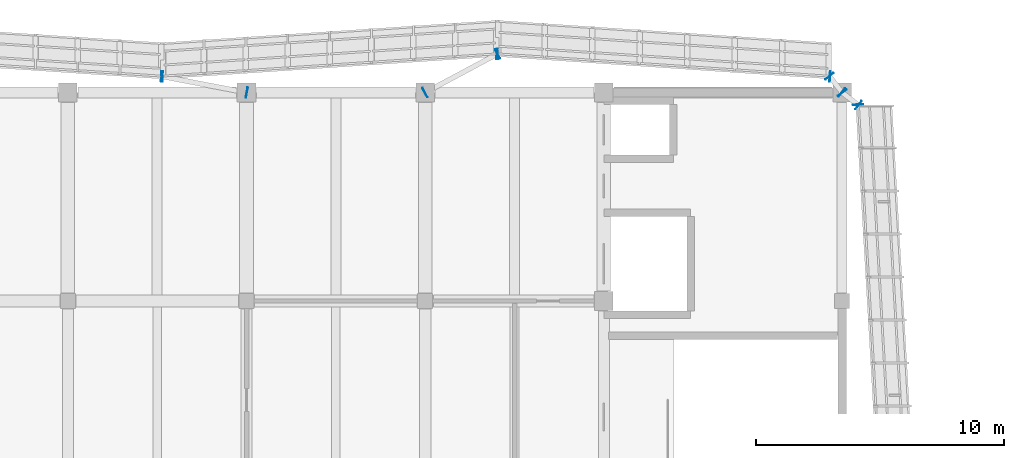
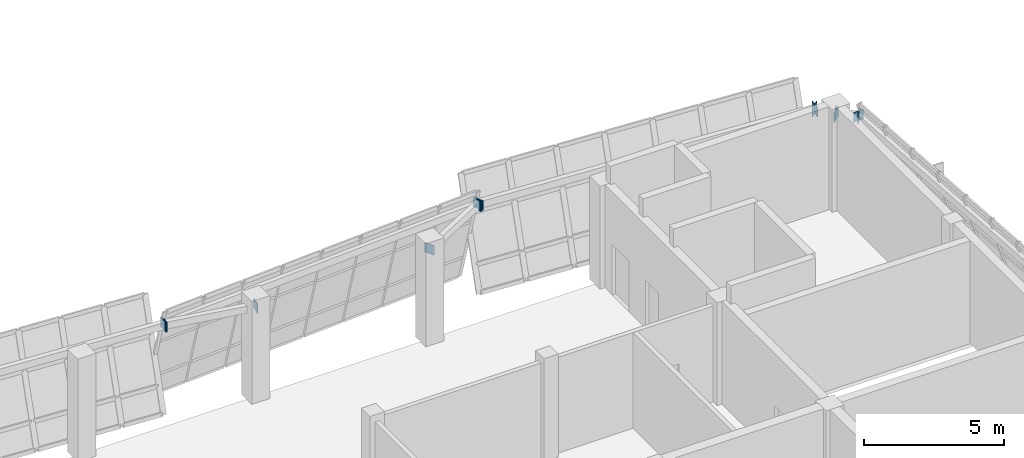
# One storey, part 54 of 71: 14 plates.
"""IFC4 building model written with IfcOpenShell, lengths in metres."""

from ifc_helpers import new_model, si_unit, direction, frame, origin, origin_2d, place, context, subcontext, project, spatial, rectangle, extrude, material, layer, layer_set, type_object, element, save


model = new_model("IFC4")

# Units and contexts
model_context = context("Model", 3, precision=1e-05, world=origin(), true_north=direction((0.0, 1.0)))
body_context = subcontext(model_context, "Body", "Model", "MODEL_VIEW")
ifc_project = project(units=[si_unit("LENGTHUNIT", "METRE"), si_unit("AREAUNIT", "SQUARE_METRE"), si_unit("VOLUMEUNIT", "CUBIC_METRE"), si_unit("PLANEANGLEUNIT", "RADIAN"), si_unit("MASSUNIT", "GRAM", prefix="KILO")], contexts=[model_context])

# Site, building, storey
site_placement = place(None, origin())
site = spatial("IfcSite", under=ifc_project, at=site_placement, CompositionType="ELEMENT")
building_placement = place(site_placement, origin())
building = spatial("IfcBuilding", under=site, at=building_placement, Name="Pellamere Symphony Hall", CompositionType="ELEMENT")
storey_placement = place(building_placement, frame((0.0, 0.0, 15.0)))
storey = spatial("IfcBuildingStorey", under=building, at=storey_placement, Name="L03", CompositionType="ELEMENT", Elevation=15.0)

# Plates
ifc_material = material(Name="Steel CSA G40.21 350W", Category="steel")
ifc_layer = layer(ifc_material, 0.02490234375, Name="Steel CSA G40.21 350W")
ifc_layer_set = layer_set([ifc_layer], Name="Steel CSA G40.21 350W")
plate_type = type_object("IfcPlateType", Name="Steel Connection Plate KP-01 420x420x25", PredefinedType="SHEET", material=ifc_layer_set)
for number, where, z_axis, x_axis, name in (
    (1, (119.44921875, 93.112060546875, 3.72998046875), (0.0, 0.0, 1.0), (-0.05756402696, 0.998341816614, 0.0), "Crystal Spandrel End Cap Plate CW-CR09-2 (L03)"),
    (2, (118.79052734375, 93.607421875, 3.72998046875), (0.0, 0.0, 1.0), (0.792609005996, -0.609730238396, 0.0), "Outrigger End Cap Plate 045.1 (L03)"),
    (3, (119.45947265625, 93.0927734375, 3.72998046875), (0.0, 0.0, 1.0), (0.792609005996, -0.609730238396, 0.0), "Outrigger End Cap Plate 045.2 (L03)"),
    (4, (118.31201171875, 94.249267578125, 3.72998046875), (0.0, 0.0, 1.0), (-0.997754957227, 0.066970481029, 0.0), "Crystal Spandrel End Cap Plate CW-CR10-1 (L03)"),
    (5, (104.887939453125, 95.15087890625, 3.72998046875), (0.0, 0.0, 1.0), (-0.997754957227, 0.066970481029, 0.0), "Crystal Spandrel End Cap Plate CW-CR10-2 (L03)"),
    (6, (118.807373046875, 93.590576171875, 3.72998046875), (0.0, 0.0, 1.0), (-0.609730238396, 0.792609005996, 0.0), "Outrigger End Cap Plate 052.1 (L03)"),
    (7, (118.292724609375, 94.259521484375, 3.72998046875), (0.0, 0.0, 1.0), (-0.609730238396, 0.792609005996, 0.0), "Outrigger End Cap Plate 052.2 (L03)"),
    (8, (101.989501953125, 93.59423828125, 3.72998046875), (0.0, 0.0, 1.0), (0.881962398116, 0.471319772882, 0.0), "Outrigger End Cap Plate 053.1 (L03)"),
    (9, (104.91064453125, 95.15576171875, 3.72998046875), (0.0, 0.0, 1.0), (0.881962398116, 0.471319772882, 0.0), "Outrigger End Cap Plate 053.2 (L03)"),
    (10, (104.912109375, 95.15087890625, 3.72998046875), (0.0, 0.0, 1.0), (-0.997789886117, -0.066448048599, 0.0), "Crystal Spandrel End Cap Plate CW-CR11-1 (L03)"),
    (11, (91.387939453125, 94.249267578125, 3.72998046875), (0.0, 0.0, 1.0), (-0.997789886117, -0.066448048599, 0.0), "Crystal Spandrel End Cap Plate CW-CR11-2 (L03)"),
    (12, (94.811767578125, 93.59765625, 3.72998046875), (0.0, 0.0, 1.0), (-0.982221782468, 0.187724186097, 0.0), "Outrigger End Cap Plate 060.1 (L03)"),
    (13, (91.38818359375, 94.252197265625, 3.72998046875), (0.0, 0.0, 1.0), (-0.982221782468, 0.187724186097, 0.0), "Outrigger End Cap Plate 060.2 (L03)"),
    (14, (91.412109375, 94.249267578125, 3.72998046875), (0.0, 0.0, 1.0), (-0.997813020072, 0.066099750182, 0.0), "Crystal Spandrel End Cap Plate CW-CR12-1 (L03)"),
):
    element("IfcPlate", number, at=place(storey_placement, frame(where, z_axis=z_axis, x_axis=x_axis)), inside=storey, type_object=plate_type, Name=name, PredefinedType="SHEET", context=body_context, shape_type="SweptSolid", body=[
        extrude(rectangle(XDim=0.02490234375, YDim=0.419921875, at=origin_2d()), origin(), (0.0, 0.0, 1.0), 0.419921875),
    ])

save(model, "model.ifc")
